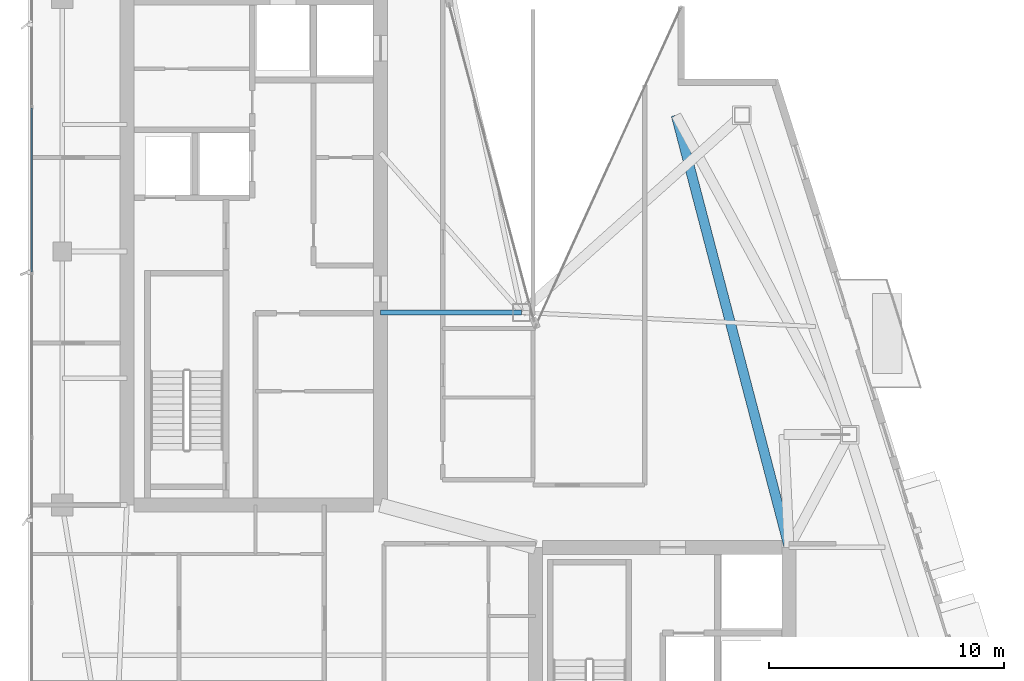
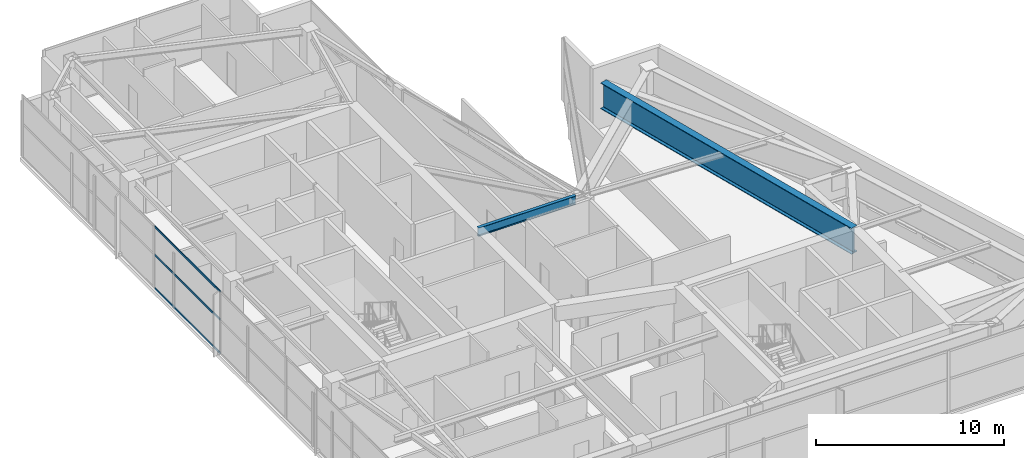
# One storey, part 10 of 26: 3 members, 2 beams, 1 element without a shape of its own.
"""IFC4 building model written with IfcOpenShell, lengths in metres."""

from ifc_helpers import new_model, si_unit, direction, frame, origin, origin_2d, place, context, subcontext, project, spatial, hollow_rectangle, i_section, extrude, material, layer, layer_set, material_profile, profile_set, type_object, element, aggregate, save


model = new_model("IFC4")

# Units and contexts
model_context = context("Model", 3, precision=1e-05, world=origin(), true_north=direction((0.0, 1.0)))
body_context = subcontext(model_context, "Body", "Model", "MODEL_VIEW")
ifc_project = project(units=[si_unit("LENGTHUNIT", "METRE"), si_unit("AREAUNIT", "SQUARE_METRE"), si_unit("VOLUMEUNIT", "CUBIC_METRE"), si_unit("PLANEANGLEUNIT", "RADIAN"), si_unit("MASSUNIT", "GRAM", prefix="KILO")], contexts=[model_context])

# Site, building, storey
site_placement = place(None, origin())
site = spatial("IfcSite", under=ifc_project, at=site_placement, CompositionType="ELEMENT")
building_placement = place(site_placement, origin())
building = spatial("IfcBuilding", under=site, at=building_placement, Name="Calvorn Quay Hotel", CompositionType="ELEMENT")
storey_placement = place(building_placement, frame((0.0, 0.0, 302.5)))
storey = spatial("IfcBuildingStorey", under=building, at=storey_placement, Name="L75", CompositionType="ELEMENT", Elevation=302.5)

# Beams
ifc_material_1 = material(Name="Steel Q355B", Category="steel")
ifc_material_profile_1 = material_profile(ifc_material_1, i_section(OverallWidth=0.199951171875, OverallDepth=0.550048828125, WebThickness=0.010009765625, FlangeThickness=0.01611328125, FilletRadius=0.01806640625, at=origin_2d()), Name="HN550x200x10x16")
ifc_profile_set_1 = profile_set([ifc_material_profile_1], Name="Steel Q355B")
beam_type_1 = type_object("IfcBeamType", Name="BM-GIRD-UPP", PredefinedType="BEAM", material=ifc_profile_set_1)
beam_1_placement = place(storey_placement, frame((21.0, 25.0, 3.77490234375), z_axis=(-1.0, 0.0, 0.0), x_axis=(0.0, -1.0, 0.0)))
element("IfcBeam", 1, at=beam_1_placement, inside=storey, type_object=beam_type_1, Name="Beam BG-L75-W7", PredefinedType="BEAM", context=body_context, shape_type="SweptSolid", body=[
    extrude(i_section(OverallWidth=0.199951171875, OverallDepth=0.550048828125, WebThickness=0.010009765625, FlangeThickness=0.01611328125, FilletRadius=0.01806640625, at=origin_2d()), origin(), (0.0, 0.0, 1.0), 6.0),
])
ifc_material_2 = material(Name="Steel Q420GJC", Category="steel")
ifc_material_profile_2 = material_profile(ifc_material_2, i_section(OverallWidth=0.419921875, OverallDepth=1.699951171875, WebThickness=0.02392578125, FlangeThickness=0.0419921875, FilletRadius=0.02392578125, at=origin_2d()), Name="HN1700x420x24x42")
ifc_profile_set_2 = profile_set([ifc_material_profile_2], Name="Steel Q420GJC")
beam_type_2 = type_object("IfcBeamType", Name="BM-XFER-SAWTOOTH", PredefinedType="BEAM", material=ifc_profile_set_2)
beam_2_placement = place(storey_placement, frame((32.39990234375, 15.0, 3.199951171875), z_axis=(-0.252858229408, 0.967503341504, 0.0), x_axis=(-0.967503341504, -0.252858229408, 0.0)))
element("IfcBeam", 2, at=beam_2_placement, inside=storey, type_object=beam_type_2, Name="Beam BTG-L75-C-ET3A", PredefinedType="BEAM", context=body_context, shape_type="SweptSolid", body=[
    extrude(i_section(OverallWidth=0.419921875, OverallDepth=1.699951171875, WebThickness=0.02392578125, FlangeThickness=0.0419921875, FilletRadius=0.02392578125, at=origin_2d()), origin(), (0.0, 0.0, 1.0), 19.017822265625),
])

# Curtain wall, members
ifc_material_3 = material(Name="Champagne Bronze Anodised Aluminium and Low-E Glass", Category="aluminium")
ifc_layer = layer(ifc_material_3, 0.219970703125)
ifc_layer_set = layer_set([ifc_layer], Name="CW-SYS-Z4")
curtain_wall_type = type_object("IfcCurtainWallType", Name="CW-SYS-Z4", PredefinedType="NOTDEFINED", material=ifc_layer_set)
curtain_wall_placement = place(storey_placement, origin())
curtain_wall = element("IfcCurtainWall", 3, at=curtain_wall_placement, inside=storey, type_object=curtain_wall_type, Name="Tower West Curtain Wall (L75)", PredefinedType="NOTDEFINED")
ifc_material_4 = material(Name="Champagne Bronze Anodised Aluminium 6063-T6", Category="aluminium")
ifc_material_profile_3 = material_profile(ifc_material_4, hollow_rectangle(XDim=0.054931640625, YDim=0.1298828125, WallThickness=0.003173828125, at=origin_2d()), Name="ALU-T130x55x3.2")
ifc_profile_set_3 = profile_set([ifc_material_profile_3], Name="Champagne Bronze Anodised Aluminium 6063-T6")
member_type = type_object("IfcMemberType", Name="CW-SYS-Z4-TRN", PredefinedType="USERDEFINED", material=ifc_profile_set_3)
member_1_placement = place(storey_placement, frame((0.14990234375, 26.72998046875, 0.030029296875), z_axis=(0.0, 1.0, 0.0), x_axis=(-1.0, 0.0, 0.0)))
member_1 = element("IfcMember", 4, at=member_1_placement, type_object=member_type, Name="CW-L75-W transom 4.1", ObjectType="TRANSOM", PredefinedType="USERDEFINED", context=body_context, shape_type="SweptSolid", body=[
    extrude(hollow_rectangle(XDim=0.054931640625, YDim=0.1298828125, WallThickness=0.003173828125, at=origin_2d()), origin(), (0.0, 0.0, 1.0), 6.973388671875),
])
member_2_placement = place(storey_placement, frame((0.14990234375, 26.72998046875, 2.199951171875), z_axis=(0.0, 1.0, 0.0), x_axis=(-1.0, 0.0, 0.0)))
member_2 = element("IfcMember", 5, at=member_2_placement, type_object=member_type, Name="CW-L75-W transom 4.2", ObjectType="TRANSOM", PredefinedType="USERDEFINED", context=body_context, shape_type="SweptSolid", body=[
    extrude(hollow_rectangle(XDim=0.054931640625, YDim=0.1298828125, WallThickness=0.003173828125, at=origin_2d()), origin(), (0.0, 0.0, 1.0), 6.973388671875),
])
member_3_placement = place(storey_placement, frame((0.14990234375, 26.72998046875, 4.02001953125), z_axis=(0.0, 1.0, 0.0), x_axis=(-1.0, 0.0, 0.0)))
member_3 = element("IfcMember", 6, at=member_3_placement, type_object=member_type, Name="CW-L75-W transom 4.3", ObjectType="TRANSOM", PredefinedType="USERDEFINED", context=body_context, shape_type="SweptSolid", body=[
    extrude(hollow_rectangle(XDim=0.054931640625, YDim=0.1298828125, WallThickness=0.003173828125, at=origin_2d()), origin(), (0.0, 0.0, 1.0), 6.973388671875),
])
aggregate(curtain_wall, [member_1, member_2, member_3])

save(model, "model.ifc")
